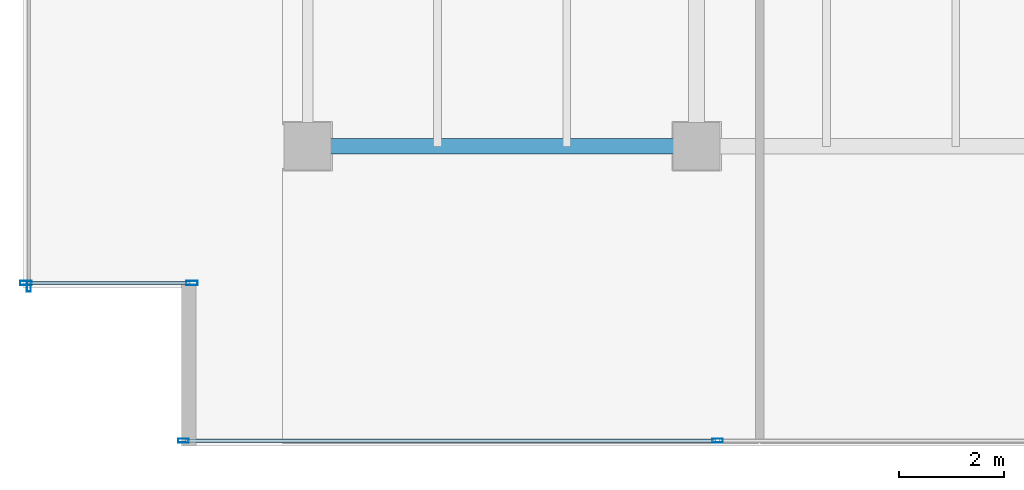
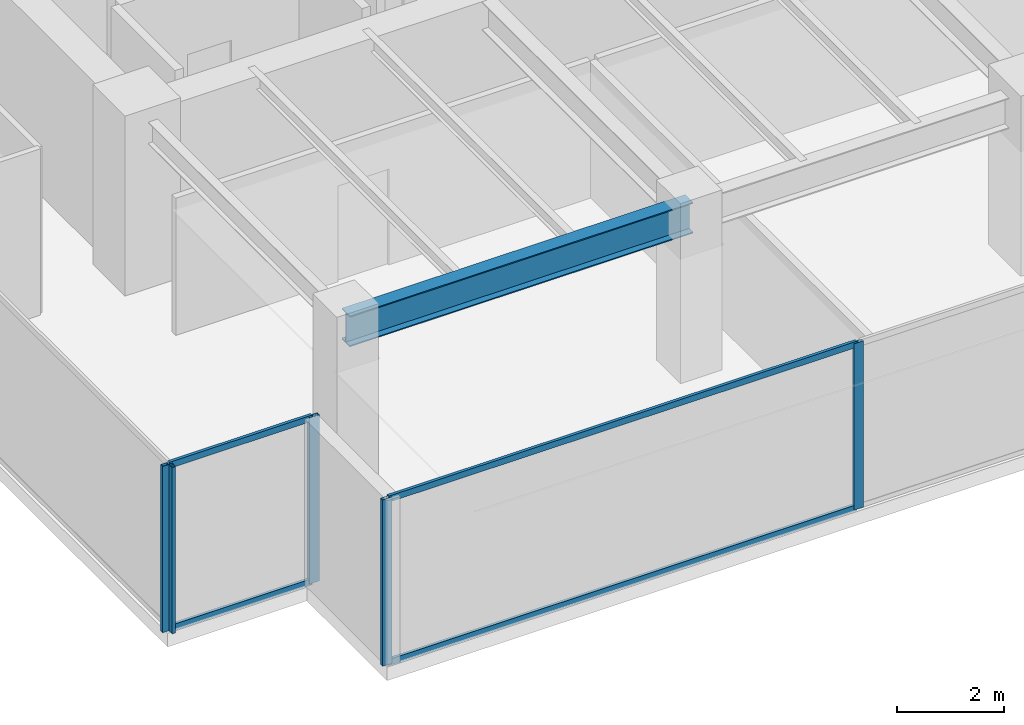
# One storey, part 2 of 33: 9 members, 1 beam, 3 elements without a shape of their own.
"""IFC4 building model written with IfcOpenShell, lengths in metres."""

from ifc_helpers import new_model, si_unit, direction, frame, origin, origin_2d, place, context, subcontext, project, spatial, hollow_rectangle, i_section, extrude, source, transform, mapped, material, layer, layer_set, material_profile, profile_set, type_object, type_shapes, element, aggregate, save


model = new_model("IFC4")

# Units and contexts
model_context = context("Model", 3, precision=1e-05, world=origin(), true_north=direction((0.0, 1.0)))
body_context = subcontext(model_context, "Body", "Model", "MODEL_VIEW")
ifc_project = project(units=[si_unit("LENGTHUNIT", "METRE"), si_unit("AREAUNIT", "SQUARE_METRE"), si_unit("VOLUMEUNIT", "CUBIC_METRE"), si_unit("PLANEANGLEUNIT", "RADIAN"), si_unit("MASSUNIT", "GRAM", prefix="KILO")], contexts=[model_context])

# Site, building, storey
site_placement = place(None, origin())
site = spatial("IfcSite", under=ifc_project, at=site_placement, CompositionType="ELEMENT")
building_placement = place(site_placement, origin())
building = spatial("IfcBuilding", under=site, at=building_placement, Name="Haelvirn Gate Laboratories", CompositionType="ELEMENT")
storey_placement = place(building_placement, frame((0.0, 0.0, 117.39990234375)))
storey = spatial("IfcBuildingStorey", under=building, at=storey_placement, Name="L28", CompositionType="ELEMENT", Elevation=117.39990234375)

# Beam
ifc_material_1 = material(Name="Steel SM355", Category="steel")
ifc_material_profile_1 = material_profile(ifc_material_1, i_section(OverallWidth=0.300048828125, OverallDepth=0.699951171875, WebThickness=0.012939453125, FlangeThickness=0.02392578125, at=origin_2d()), Name="H-700x300x13x24")
ifc_profile_set_1 = profile_set([ifc_material_profile_1], Name="Steel SM355")
beam_type = type_object("IfcBeamType", Name="BM-G-700", PredefinedType="BEAM", material=ifc_profile_set_1)
shared_shape_1 = source(origin(), body_context, "Body", "SweptSolid", [
    extrude(i_section(OverallWidth=0.300048828125, OverallDepth=0.699951171875, WebThickness=0.012939453125, FlangeThickness=0.02392578125, at=origin_2d()), origin(), (0.0, 0.0, 1.0), 7.400146484375),
])
type_shapes(beam_type, [shared_shape_1])
beam_placement = place(storey_placement, frame((7.39990234375, 7.0, 3.440185546875), z_axis=(1.0, 0.0, 0.0), x_axis=(0.0, 1.0, 0.0)))
element("IfcBeam", 1, at=beam_placement, inside=storey, type_object=beam_type, Name="L28 Primary Girder Y7.0 (7.4-14.8)", PredefinedType="BEAM", context=body_context, shape_type="MappedRepresentation", body=[
    mapped(shared_shape_1, transform((0.0, 0.0, 0.0), scale=1.0)),
])

# Curtain wall, members
ifc_material_2 = material(Name="Anodised bronze unitised aluminium & triple low-E glass", Category="aluminium")
ifc_layer_1 = layer(ifc_material_2, 0.179931640625, Name="CW-SYS-3")
ifc_layer_set_1 = layer_set([ifc_layer_1], Name="Anodised bronze unitised aluminium & triple low-E glass")
curtain_wall_type_1 = type_object("IfcCurtainWallType", Name="CW-SYS-3", PredefinedType="NOTDEFINED", material=ifc_layer_set_1)
curtain_wall_1_placement = place(storey_placement, origin())
curtain_wall_1 = element("IfcCurtainWall", 2, at=curtain_wall_1_placement, inside=storey, type_object=curtain_wall_type_1, Name="L28 Unitised Curtain Wall CW-L28-P0-E00-1", PredefinedType="NOTDEFINED")
ifc_material_3 = material(Name="Extruded aluminium 6063-T6 (anodised bronze)", Category="aluminium")
ifc_material_profile_2 = material_profile(ifc_material_3, hollow_rectangle(XDim=0.06494140625, YDim=0.139892578125, WallThickness=0.00390625, at=origin_2d()), Name="CWT-140x65x4")
ifc_profile_set_2 = profile_set([ifc_material_profile_2], Name="Extruded aluminium 6063-T6 (anodised bronze)")
member_type_1 = type_object("IfcMemberType", Name="CWT-T140", PredefinedType="USERDEFINED", material=ifc_profile_set_2)
shared_shape_2 = source(origin(), body_context, "Body", "SweptSolid", [
    extrude(hollow_rectangle(XDim=0.06494140625, YDim=0.139892578125, WallThickness=0.00390625, at=origin_2d()), origin(), (0.0, 0.0, 1.0), 10.087646484375),
])
member_1_placement = place(storey_placement, frame((5.074951171875, 1.39990234375, 0.03271484375), z_axis=(1.0, 0.0, 0.0), x_axis=(0.0, 1.0, 0.0)))
member_1 = element("IfcMember", 3, at=member_1_placement, type_object=member_type_1, Name="CW3 transom 1.1", ObjectType="TRANSOM", PredefinedType="USERDEFINED", context=body_context, shape_type="MappedRepresentation", body=[
    mapped(shared_shape_2, transform((0.0, 0.0, 0.0), scale=1.0)),
])
member_2_placement = place(storey_placement, frame((5.074951171875, 1.39990234375, 3.757568359375), z_axis=(1.0, 0.0, 0.0), x_axis=(0.0, 1.0, 0.0)))
member_2 = element("IfcMember", 4, at=member_2_placement, type_object=member_type_1, Name="CW3 transom 1.2", ObjectType="TRANSOM", PredefinedType="USERDEFINED", context=body_context, shape_type="MappedRepresentation", body=[
    mapped(shared_shape_2, transform((0.0, 0.0, 0.0), scale=1.0)),
])

ifc_layer_2 = layer(ifc_material_2, 0.181884765625, Name="CW-SYS-5")
ifc_layer_set_2 = layer_set([ifc_layer_2], Name="Anodised bronze unitised aluminium & triple low-E glass")
curtain_wall_type_2 = type_object("IfcCurtainWallType", Name="CW-SYS-5", PredefinedType="NOTDEFINED", material=ifc_layer_set_2)
curtain_wall_2_placement = place(storey_placement, origin())
curtain_wall_2 = element("IfcCurtainWall", 5, at=curtain_wall_2_placement, inside=storey, type_object=curtain_wall_type_2, Name="L28 Unitised Curtain Wall CW-L28-P0-E18-1", PredefinedType="NOTDEFINED")
shared_shape_3 = source(origin(), body_context, "Body", "SweptSolid", [
    extrude(hollow_rectangle(XDim=0.06494140625, YDim=0.139892578125, WallThickness=0.00390625, at=origin_2d()), origin(), (0.0, 0.0, 1.0), 3.079833984375),
])
type_shapes(member_type_1, [shared_shape_2, shared_shape_3])
member_3_placement = place(storey_placement, frame((2.080078125, 4.39990234375, 0.03271484375), z_axis=(1.0, 0.0, 0.0), x_axis=(0.0, 1.0, 0.0)))
member_3 = element("IfcMember", 6, at=member_3_placement, type_object=member_type_1, Name="CW5 transom 1.1", ObjectType="TRANSOM", PredefinedType="USERDEFINED", context=body_context, shape_type="MappedRepresentation", body=[
    mapped(shared_shape_3, transform((0.0, 0.0, 0.0), scale=1.0)),
])
member_4_placement = place(storey_placement, frame((2.080078125, 4.39990234375, 3.757568359375), z_axis=(1.0, 0.0, 0.0), x_axis=(0.0, 1.0, 0.0)))
member_4 = element("IfcMember", 7, at=member_4_placement, type_object=member_type_1, Name="CW5 transom 1.2", ObjectType="TRANSOM", PredefinedType="USERDEFINED", context=body_context, shape_type="MappedRepresentation", body=[
    mapped(shared_shape_3, transform((0.0, 0.0, 0.0), scale=1.0)),
])

# Member
ifc_material_profile_3 = material_profile(ifc_material_3, hollow_rectangle(XDim=0.074951171875, YDim=0.199951171875, WallThickness=0.0048828125, at=origin_2d()), Name="CWM-200x75x5")
ifc_profile_set_3 = profile_set([ifc_material_profile_3], Name="Extruded aluminium 6063-T6 (anodised bronze)")
member_type_2 = type_object("IfcMemberType", Name="CWM-T200", PredefinedType="MULLION", material=ifc_profile_set_3)
shared_shape_4 = source(origin(), body_context, "Body", "SweptSolid", [
    extrude(hollow_rectangle(XDim=0.074951171875, YDim=0.199951171875, WallThickness=0.0048828125, at=origin_2d()), origin(), (0.0, 0.0, 1.0), 3.7900390625),
])
type_shapes(member_type_2, [shared_shape_4])
member_5_placement = place(storey_placement, frame((5.03759765625, 1.39990234375, 0.0), z_axis=(0.0, 0.0, 1.0), x_axis=(0.0, 1.0, 0.0)))
member_5 = element("IfcMember", 8, at=member_5_placement, type_object=member_type_2, Name="CW3 mullion 1", PredefinedType="MULLION", context=body_context, shape_type="MappedRepresentation", body=[
    mapped(shared_shape_4, transform((0.0, 0.0, 0.0), scale=1.0)),
])

member_6_placement = place(storey_placement, frame((15.199951171875, 1.39990234375, 0.0), z_axis=(0.0, 0.0, 1.0), x_axis=(0.0, 1.0, 0.0)))
member_6 = element("IfcMember", 9, at=member_6_placement, type_object=member_type_2, Name="CW3 mullion 2", PredefinedType="MULLION", context=body_context, shape_type="MappedRepresentation", body=[
    mapped(shared_shape_4, transform((0.0, 0.0, 0.0), scale=1.0)),
])

aggregate(curtain_wall_1, [member_5, member_6, member_1, member_2])

# Curtain wall, member
curtain_wall_3_placement = place(storey_placement, origin())
curtain_wall_3 = element("IfcCurtainWall", 10, at=curtain_wall_3_placement, inside=storey, type_object=curtain_wall_type_1, Name="L28 Unitised Curtain Wall CW-L28-P0-E17", PredefinedType="NOTDEFINED")
member_7_placement = place(storey_placement, frame((2.10009765625, 4.33740234375, 0.0), z_axis=(0.0, 0.0, 1.0), x_axis=(1.0, 0.0, 0.0)))
member_7 = element("IfcMember", 11, at=member_7_placement, type_object=member_type_2, Name="CW3 mullion 4", PredefinedType="MULLION", context=body_context, shape_type="MappedRepresentation", body=[
    mapped(shared_shape_4, transform((0.0, 0.0, 0.0), scale=1.0)),
])
aggregate(curtain_wall_3, [member_7])

# Member
ifc_material_profile_4 = material_profile(ifc_material_3, hollow_rectangle(XDim=0.080078125, YDim=0.219970703125, WallThickness=0.006103515625, at=origin_2d()), Name="CWM-220x80x6")
ifc_profile_set_4 = profile_set([ifc_material_profile_4], Name="Extruded aluminium 6063-T6 (anodised bronze)")
member_type_3 = type_object("IfcMemberType", Name="CWM-T220", PredefinedType="MULLION", material=ifc_profile_set_4)
shared_shape_5 = source(origin(), body_context, "Body", "SweptSolid", [
    extrude(hollow_rectangle(XDim=0.080078125, YDim=0.219970703125, WallThickness=0.006103515625, at=origin_2d()), origin(), (0.0, 0.0, 1.0), 3.7900390625),
])
type_shapes(member_type_3, [shared_shape_5])
member_8_placement = place(storey_placement, frame((2.0400390625, 4.39990234375, 0.0), z_axis=(0.0, 0.0, 1.0), x_axis=(0.0, 1.0, 0.0)))
member_8 = element("IfcMember", 12, at=member_8_placement, type_object=member_type_3, Name="CW5 mullion 1", PredefinedType="MULLION", context=body_context, shape_type="MappedRepresentation", body=[
    mapped(shared_shape_5, transform((0.0, 0.0, 0.0), scale=1.0)),
])

member_9_placement = place(storey_placement, frame((5.199951171875, 4.39990234375, 0.0), z_axis=(0.0, 0.0, 1.0), x_axis=(0.0, 1.0, 0.0)))
member_9 = element("IfcMember", 13, at=member_9_placement, type_object=member_type_3, Name="CW5 mullion 2", PredefinedType="MULLION", context=body_context, shape_type="MappedRepresentation", body=[
    mapped(shared_shape_5, transform((0.0, 0.0, 0.0), scale=1.0)),
])

aggregate(curtain_wall_2, [member_8, member_9, member_3, member_4])

save(model, "model.ifc")
